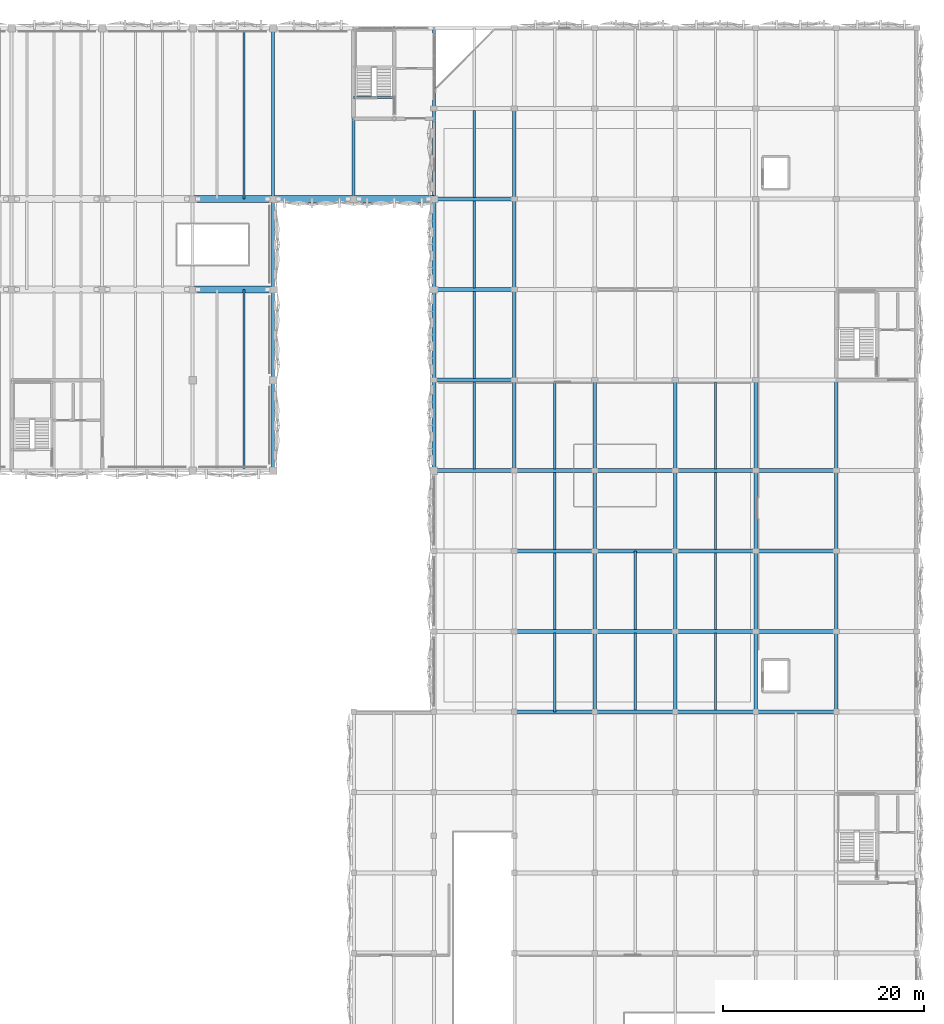
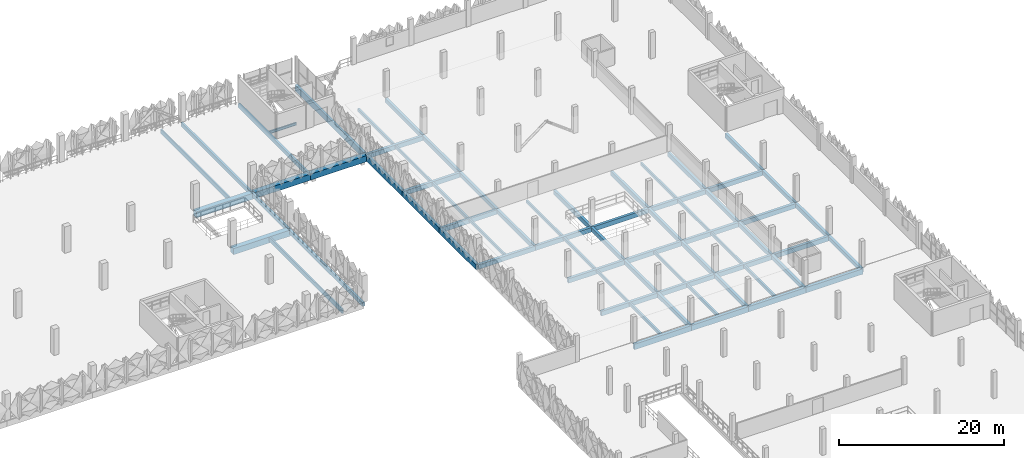
# One storey, part 23 of 83: 69 beams.
"""IFC4 building model written with IfcOpenShell, lengths in metres."""

from ifc_helpers import new_model, si_unit, derived_unit, direction, frame, origin, origin_2d, place, context, subcontext, project, spatial, rectangle, i_section, extrude, material, material_profile, profile_set, type_object, element, save


model = new_model("IFC4")

# Units and contexts
model_context = context("Model", 3, precision=1e-05, world=origin(), true_north=direction((0.0, 1.0)))
body_context = subcontext(model_context, "Body", "Model", "MODEL_VIEW")
ifc_project = project(units=[si_unit("LENGTHUNIT", "METRE"), si_unit("AREAUNIT", "SQUARE_METRE"), si_unit("VOLUMEUNIT", "CUBIC_METRE"), si_unit("PLANEANGLEUNIT", "RADIAN"), si_unit("MASSUNIT", "GRAM", prefix="KILO"), si_unit("THERMODYNAMICTEMPERATUREUNIT", "KELVIN"), derived_unit("THERMALTRANSMITTANCEUNIT", [(si_unit("POWERUNIT", "WATT"), 1), (si_unit("AREAUNIT", "SQUARE_METRE"), -1), (si_unit("THERMODYNAMICTEMPERATUREUNIT", "KELVIN"), -1)])], contexts=[model_context])

# Site, building, storey
site_placement = place(None, origin())
site = spatial("IfcSite", under=ifc_project, at=site_placement, CompositionType="ELEMENT")
building_placement = place(site_placement, origin())
building = spatial("IfcBuilding", under=site, at=building_placement, Name="Haiyu Intermodal Mobility Hub", CompositionType="ELEMENT")
storey_placement = place(building_placement, frame((0.0, 0.0, 13.39990234375)))
storey = spatial("IfcBuildingStorey", under=building, at=storey_placement, Name="L03", CompositionType="ELEMENT", Elevation=13.39990234375)

# Beams
ifc_material_1 = material(Name="Concrete C40", Category="concrete")
ifc_material_profile_1 = material_profile(ifc_material_1, rectangle(XDim=0.39990234375, YDim=0.800048828125, at=origin_2d()), Name="RCB400x800")
ifc_profile_set_1 = profile_set([ifc_material_profile_1], Name="Concrete C40")
beam_type_1 = type_object("IfcBeamType", Name="BM-CB05", PredefinedType="BEAM", material=ifc_profile_set_1)
for number, where, z_axis, x_axis, name in (
    (1, (170.0, 80.0, -0.659912109375), (1.0, 0.0, 0.0), (0.0, 1.0, 0.0), "BM-V5G-L03-058"),
    (2, (178.0, 80.0, -0.659912109375), (1.0, 0.0, 0.0), (0.0, 1.0, 0.0), "BM-V5G-L03-059"),
    (3, (186.0, 80.0, -0.659912109375), (1.0, 0.0, 0.0), (0.0, 1.0, 0.0), "BM-V5G-L03-060"),
    (4, (194.0, 80.0, -0.659912109375), (1.0, 0.0, 0.0), (0.0, 1.0, 0.0), "BM-V5G-L03-061"),
):
    element("IfcBeam", number, at=place(storey_placement, frame(where, z_axis=z_axis, x_axis=x_axis)), inside=storey, type_object=beam_type_1, Name=name, PredefinedType="BEAM", context=body_context, shape_type="SweptSolid", body=[
        extrude(rectangle(XDim=0.39990234375, YDim=0.800048828125, at=origin_2d()), origin(), (0.0, 0.0, 1.0), 8.0),
    ])
for number, where, z_axis, x_axis, name in (
    (5, (162.0, 104.0, -0.659912109375), (0.0, 1.0, 0.0), (-1.0, 0.0, 0.0), "BM-V6T-L03-004"),
    (6, (162.0, 113.0, -0.659912109375), (0.0, 1.0, 0.0), (-1.0, 0.0, 0.0), "BM-V6T-L03-005"),
    (7, (162.0, 122.0, -0.659912109375), (0.0, 1.0, 0.0), (-1.0, 0.0, 0.0), "BM-V6T-L03-006"),
):
    element("IfcBeam", number, at=place(storey_placement, frame(where, z_axis=z_axis, x_axis=x_axis)), inside=storey, type_object=beam_type_1, Name=name, PredefinedType="BEAM", context=body_context, shape_type="SweptSolid", body=[
        extrude(rectangle(XDim=0.39990234375, YDim=0.800048828125, at=origin_2d()), origin(), (0.0, 0.0, 1.0), 9.0),
    ])
ifc_material_profile_2 = material_profile(ifc_material_1, rectangle(XDim=0.300048828125, YDim=0.60009765625, at=origin_2d()), Name="RCB300x600")
ifc_profile_set_2 = profile_set([ifc_material_profile_2], Name="Concrete C40")
beam_type_2 = type_object("IfcBeamType", Name="BM-CB07", PredefinedType="JOIST", material=ifc_profile_set_2)
beam_1_placement = place(storey_placement, frame((146.0, 104.0, -0.574951171875), z_axis=(0.0, 1.0, 0.0), x_axis=(-1.0, 0.0, 0.0)))
element("IfcBeam", 8, at=beam_1_placement, inside=storey, type_object=beam_type_2, Name="BM-V4E-L03-039", PredefinedType="JOIST", context=body_context, shape_type="SweptSolid", body=[
    extrude(rectangle(XDim=0.300048828125, YDim=0.60009765625, at=origin_2d()), origin(), (0.0, 0.0, 1.0), 18.0),
])
beam_2_placement = place(storey_placement, frame((146.0, 122.0, -0.574951171875), z_axis=(0.0, 1.0, 0.0), x_axis=(-1.0, 0.0, 0.0)))
element("IfcBeam", 9, at=beam_2_placement, inside=storey, type_object=beam_type_2, Name="BM-V4E-L03-040", PredefinedType="JOIST", context=body_context, shape_type="SweptSolid", body=[
    extrude(rectangle(XDim=0.300048828125, YDim=0.60009765625, at=origin_2d()), origin(), (0.0, 0.0, 1.0), 9.0),
])
for number, where, z_axis, x_axis, name in (
    (10, (146.0, 131.0, -0.574951171875), (0.0, 1.0, 0.0), (-1.0, 0.0, 0.0), "BM-V4E-L03-041"),
    (11, (154.0, 131.0, -0.574951171875), (0.0, 1.0, 0.0), (-1.0, 0.0, 0.0), "BM-V4E-L03-042"),
):
    element("IfcBeam", number, at=place(storey_placement, frame(where, z_axis=z_axis, x_axis=x_axis)), inside=storey, type_object=beam_type_2, Name=name, PredefinedType="JOIST", context=body_context, shape_type="SweptSolid", body=[
        extrude(rectangle(XDim=0.300048828125, YDim=0.60009765625, at=origin_2d()), origin(), (0.0, 0.0, 1.0), 17.0),
    ])
ifc_material_profile_3 = material_profile(ifc_material_1, rectangle(XDim=0.3798828125, YDim=0.679931640625, at=origin_2d()), Name="B380x680")
ifc_profile_set_3 = profile_set([ifc_material_profile_3], Name="Concrete C40")
beam_type_3 = type_object("IfcBeamType", Name="BM-CB15", PredefinedType="BEAM", material=ifc_profile_set_3)
for number, where, z_axis, x_axis, name in (
    (12, (170.0, 88.0, -0.599853515625), (1.0, 0.0, 0.0), (0.0, 1.0, 0.0), "BM-V6G-L03-008"),
    (13, (178.0, 88.0, -0.599853515625), (1.0, 0.0, 0.0), (0.0, 1.0, 0.0), "BM-V6G-L03-009"),
    (14, (186.0, 88.0, -0.599853515625), (1.0, 0.0, 0.0), (0.0, 1.0, 0.0), "BM-V6G-L03-010"),
    (15, (194.0, 88.0, -0.599853515625), (1.0, 0.0, 0.0), (0.0, 1.0, 0.0), "BM-V6G-L03-011"),
    (16, (170.0, 96.0, -0.599853515625), (1.0, 0.0, 0.0), (0.0, 1.0, 0.0), "BM-V6G-L03-014"),
    (17, (178.0, 96.0, -0.599853515625), (1.0, 0.0, 0.0), (0.0, 1.0, 0.0), "BM-V6G-L03-015"),
    (18, (186.0, 96.0, -0.599853515625), (1.0, 0.0, 0.0), (0.0, 1.0, 0.0), "BM-V6G-L03-016"),
    (19, (194.0, 96.0, -0.599853515625), (1.0, 0.0, 0.0), (0.0, 1.0, 0.0), "BM-V6G-L03-017"),
    (20, (162.0, 104.0, -0.599853515625), (1.0, 0.0, 0.0), (0.0, 1.0, 0.0), "BM-V6G-L03-019"),
    (21, (170.0, 104.0, -0.599853515625), (1.0, 0.0, 0.0), (0.0, 1.0, 0.0), "BM-V6G-L03-020"),
    (22, (178.0, 104.0, -0.599853515625), (1.0, 0.0, 0.0), (0.0, 1.0, 0.0), "BM-V6G-L03-021"),
    (23, (186.0, 104.0, -0.599853515625), (1.0, 0.0, 0.0), (0.0, 1.0, 0.0), "BM-V6G-L03-022"),
    (24, (194.0, 104.0, -0.599853515625), (1.0, 0.0, 0.0), (0.0, 1.0, 0.0), "BM-V6G-L03-023"),
    (25, (162.0, 113.0, -0.599853515625), (1.0, 0.0, 0.0), (0.0, 1.0, 0.0), "BM-V6G-L03-025"),
    (26, (162.0, 122.0, -0.599853515625), (1.0, 0.0, 0.0), (0.0, 1.0, 0.0), "BM-V6G-L03-031"),
    (27, (162.0, 131.0, -0.599853515625), (1.0, 0.0, 0.0), (0.0, 1.0, 0.0), "BM-V6G-L03-037"),
):
    element("IfcBeam", number, at=place(storey_placement, frame(where, z_axis=z_axis, x_axis=x_axis)), inside=storey, type_object=beam_type_3, Name=name, PredefinedType="BEAM", context=body_context, shape_type="SweptSolid", body=[
        extrude(rectangle(XDim=0.3798828125, YDim=0.679931640625, at=origin_2d()), origin(), (0.0, 0.0, 1.0), 8.0),
    ])
ifc_material_profile_4 = material_profile(ifc_material_1, rectangle(XDim=0.360107421875, YDim=0.6201171875, at=origin_2d()), Name="B360x620")
ifc_profile_set_4 = profile_set([ifc_material_profile_4], Name="Concrete C40")
beam_type_4 = type_object("IfcBeamType", Name="BM-CB16", PredefinedType="BEAM", material=ifc_profile_set_4)
for number, where, z_axis, x_axis, name in (
    (28, (170.0, 104.0, -0.56982421875), (0.0, 1.0, 0.0), (-1.0, 0.0, 0.0), "BM-V6T-L03-012"),
    (29, (170.0, 113.0, -0.56982421875), (0.0, 1.0, 0.0), (-1.0, 0.0, 0.0), "BM-V6T-L03-013"),
    (30, (170.0, 122.0, -0.56982421875), (0.0, 1.0, 0.0), (-1.0, 0.0, 0.0), "BM-V6T-L03-014"),
    (31, (170.0, 131.0, -0.56982421875), (0.0, 1.0, 0.0), (-1.0, 0.0, 0.0), "BM-V6T-L03-015"),
):
    element("IfcBeam", number, at=place(storey_placement, frame(where, z_axis=z_axis, x_axis=x_axis)), inside=storey, type_object=beam_type_4, Name=name, PredefinedType="BEAM", context=body_context, shape_type="SweptSolid", body=[
        extrude(rectangle(XDim=0.360107421875, YDim=0.6201171875, at=origin_2d()), origin(), (0.0, 0.0, 1.0), 9.0),
    ])
for number, where, z_axis, x_axis, name in (
    (32, (178.0, 80.0, -0.56982421875), (0.0, 1.0, 0.0), (-1.0, 0.0, 0.0), "BM-V6T-L03-017"),
    (33, (178.0, 88.0, -0.56982421875), (0.0, 1.0, 0.0), (-1.0, 0.0, 0.0), "BM-V6T-L03-018"),
    (34, (178.0, 96.0, -0.56982421875), (0.0, 1.0, 0.0), (-1.0, 0.0, 0.0), "BM-V6T-L03-019"),
):
    element("IfcBeam", number, at=place(storey_placement, frame(where, z_axis=z_axis, x_axis=x_axis)), inside=storey, type_object=beam_type_4, Name=name, PredefinedType="BEAM", context=body_context, shape_type="SweptSolid", body=[
        extrude(rectangle(XDim=0.360107421875, YDim=0.6201171875, at=origin_2d()), origin(), (0.0, 0.0, 1.0), 8.0),
    ])
beam_3_placement = place(storey_placement, frame((178.0, 104.0, -0.56982421875), z_axis=(0.0, 1.0, 0.0), x_axis=(-1.0, 0.0, 0.0)))
element("IfcBeam", 35, at=beam_3_placement, inside=storey, type_object=beam_type_4, Name="BM-V6T-L03-020", PredefinedType="BEAM", context=body_context, shape_type="SweptSolid", body=[
    extrude(rectangle(XDim=0.360107421875, YDim=0.6201171875, at=origin_2d()), origin(), (0.0, 0.0, 1.0), 9.0),
])
for number, where, z_axis, x_axis, name in (
    (36, (186.0, 80.0, -0.56982421875), (0.0, 1.0, 0.0), (-1.0, 0.0, 0.0), "BM-V6T-L03-025"),
    (37, (186.0, 88.0, -0.56982421875), (0.0, 1.0, 0.0), (-1.0, 0.0, 0.0), "BM-V6T-L03-026"),
    (38, (186.0, 96.0, -0.56982421875), (0.0, 1.0, 0.0), (-1.0, 0.0, 0.0), "BM-V6T-L03-027"),
):
    element("IfcBeam", number, at=place(storey_placement, frame(where, z_axis=z_axis, x_axis=x_axis)), inside=storey, type_object=beam_type_4, Name=name, PredefinedType="BEAM", context=body_context, shape_type="SweptSolid", body=[
        extrude(rectangle(XDim=0.360107421875, YDim=0.6201171875, at=origin_2d()), origin(), (0.0, 0.0, 1.0), 8.0),
    ])
beam_4_placement = place(storey_placement, frame((186.0, 104.0, -0.56982421875), z_axis=(0.0, 1.0, 0.0), x_axis=(-1.0, 0.0, 0.0)))
element("IfcBeam", 39, at=beam_4_placement, inside=storey, type_object=beam_type_4, Name="BM-V6T-L03-028", PredefinedType="BEAM", context=body_context, shape_type="SweptSolid", body=[
    extrude(rectangle(XDim=0.360107421875, YDim=0.6201171875, at=origin_2d()), origin(), (0.0, 0.0, 1.0), 9.0),
])
for number, where, z_axis, x_axis, name in (
    (40, (194.0, 80.0, -0.56982421875), (0.0, 1.0, 0.0), (-1.0, 0.0, 0.0), "BM-V6T-L03-033"),
    (41, (194.0, 88.0, -0.56982421875), (0.0, 1.0, 0.0), (-1.0, 0.0, 0.0), "BM-V6T-L03-034"),
    (42, (194.0, 96.0, -0.56982421875), (0.0, 1.0, 0.0), (-1.0, 0.0, 0.0), "BM-V6T-L03-035"),
):
    element("IfcBeam", number, at=place(storey_placement, frame(where, z_axis=z_axis, x_axis=x_axis)), inside=storey, type_object=beam_type_4, Name=name, PredefinedType="BEAM", context=body_context, shape_type="SweptSolid", body=[
        extrude(rectangle(XDim=0.360107421875, YDim=0.6201171875, at=origin_2d()), origin(), (0.0, 0.0, 1.0), 8.0),
    ])
beam_5_placement = place(storey_placement, frame((194.0, 104.0, -0.56982421875), z_axis=(0.0, 1.0, 0.0), x_axis=(-1.0, 0.0, 0.0)))
element("IfcBeam", 43, at=beam_5_placement, inside=storey, type_object=beam_type_4, Name="BM-V6T-L03-036", PredefinedType="BEAM", context=body_context, shape_type="SweptSolid", body=[
    extrude(rectangle(XDim=0.360107421875, YDim=0.6201171875, at=origin_2d()), origin(), (0.0, 0.0, 1.0), 9.0),
])
for number, where, z_axis, x_axis, name in (
    (44, (202.0, 80.0, -0.56982421875), (0.0, 1.0, 0.0), (-1.0, 0.0, 0.0), "BM-V6T-L03-041"),
    (45, (202.0, 88.0, -0.56982421875), (0.0, 1.0, 0.0), (-1.0, 0.0, 0.0), "BM-V6T-L03-042"),
    (46, (202.0, 96.0, -0.56982421875), (0.0, 1.0, 0.0), (-1.0, 0.0, 0.0), "BM-V6T-L03-043"),
):
    element("IfcBeam", number, at=place(storey_placement, frame(where, z_axis=z_axis, x_axis=x_axis)), inside=storey, type_object=beam_type_4, Name=name, PredefinedType="BEAM", context=body_context, shape_type="SweptSolid", body=[
        extrude(rectangle(XDim=0.360107421875, YDim=0.6201171875, at=origin_2d()), origin(), (0.0, 0.0, 1.0), 8.0),
    ])
beam_6_placement = place(storey_placement, frame((202.0, 104.0, -0.56982421875), z_axis=(0.0, 1.0, 0.0), x_axis=(-1.0, 0.0, 0.0)))
element("IfcBeam", 47, at=beam_6_placement, inside=storey, type_object=beam_type_4, Name="BM-V6T-L03-044", PredefinedType="BEAM", context=body_context, shape_type="SweptSolid", body=[
    extrude(rectangle(XDim=0.360107421875, YDim=0.6201171875, at=origin_2d()), origin(), (0.0, 0.0, 1.0), 9.0),
])
ifc_material_profile_5 = material_profile(ifc_material_1, rectangle(XDim=0.239990234375, YDim=0.43994140625, at=origin_2d()), Name="B240x440")
ifc_profile_set_5 = profile_set([ifc_material_profile_5], Name="Concrete C40")
beam_type_5 = type_object("IfcBeamType", Name="BM-CB19", PredefinedType="JOIST", material=ifc_profile_set_5)
for number, where, z_axis, x_axis, name in (
    (48, (166.0, 104.175048828125, -0.47998046875), (0.0, 1.0, 0.0), (-1.0, 0.0, 0.0), "BM-V6J-L03-004"),
    (49, (166.0, 113.175048828125, -0.47998046875), (0.0, 1.0, 0.0), (-1.0, 0.0, 0.0), "BM-V6J-L03-005"),
    (50, (166.0, 122.175048828125, -0.47998046875), (0.0, 1.0, 0.0), (-1.0, 0.0, 0.0), "BM-V6J-L03-006"),
    (51, (166.0, 131.175048828125, -0.47998046875), (0.0, 1.0, 0.0), (-1.0, 0.0, 0.0), "BM-V6J-L03-007"),
):
    element("IfcBeam", number, at=place(storey_placement, frame(where, z_axis=z_axis, x_axis=x_axis)), inside=storey, type_object=beam_type_5, Name=name, PredefinedType="JOIST", context=body_context, shape_type="SweptSolid", body=[
        extrude(rectangle(XDim=0.239990234375, YDim=0.43994140625, at=origin_2d()), origin(), (0.0, 0.0, 1.0), 8.64990234375),
    ])
beam_7_placement = place(storey_placement, frame((174.0, 80.0, -0.47998046875), z_axis=(0.0, 1.0, 0.0), x_axis=(-1.0, 0.0, 0.0)))
element("IfcBeam", 52, at=beam_7_placement, inside=storey, type_object=beam_type_5, Name="BM-V6J-L03-009", PredefinedType="JOIST", context=body_context, shape_type="SweptSolid", body=[
    extrude(rectangle(XDim=0.239990234375, YDim=0.43994140625, at=origin_2d()), origin(), (0.0, 0.0, 1.0), 7.824951171875),
])
for number, where, z_axis, x_axis, name in (
    (53, (174.0, 88.175048828125, -0.47998046875), (0.0, 1.0, 0.0), (-1.0, 0.0, 0.0), "BM-V6J-L03-010"),
    (54, (174.0, 96.175048828125, -0.47998046875), (0.0, 1.0, 0.0), (-1.0, 0.0, 0.0), "BM-V6J-L03-011"),
):
    element("IfcBeam", number, at=place(storey_placement, frame(where, z_axis=z_axis, x_axis=x_axis)), inside=storey, type_object=beam_type_5, Name=name, PredefinedType="JOIST", context=body_context, shape_type="SweptSolid", body=[
        extrude(rectangle(XDim=0.239990234375, YDim=0.43994140625, at=origin_2d()), origin(), (0.0, 0.0, 1.0), 7.64990234375),
    ])
beam_8_placement = place(storey_placement, frame((174.0, 104.175048828125, -0.47998046875), z_axis=(0.0, 1.0, 0.0), x_axis=(-1.0, 0.0, 0.0)))
element("IfcBeam", 55, at=beam_8_placement, inside=storey, type_object=beam_type_5, Name="BM-V6J-L03-012", PredefinedType="JOIST", context=body_context, shape_type="SweptSolid", body=[
    extrude(rectangle(XDim=0.239990234375, YDim=0.43994140625, at=origin_2d()), origin(), (0.0, 0.0, 1.0), 8.64990234375),
])
beam_9_placement = place(storey_placement, frame((182.0, 80.18505859375, -0.47998046875), z_axis=(0.0, 1.0, 0.0), x_axis=(-1.0, 0.0, 0.0)))
element("IfcBeam", 56, at=beam_9_placement, inside=storey, type_object=beam_type_5, Name="BM-V6J-L03-017", PredefinedType="JOIST", context=body_context, shape_type="SweptSolid", body=[
    extrude(rectangle(XDim=0.239990234375, YDim=0.43994140625, at=origin_2d()), origin(), (0.0, 0.0, 1.0), 7.639892578125),
])
beam_10_placement = place(storey_placement, frame((182.0, 88.175048828125, -0.47998046875), z_axis=(0.0, 1.0, 0.0), x_axis=(-1.0, 0.0, 0.0)))
element("IfcBeam", 57, at=beam_10_placement, inside=storey, type_object=beam_type_5, Name="BM-V6J-L03-018", PredefinedType="JOIST", context=body_context, shape_type="SweptSolid", body=[
    extrude(rectangle(XDim=0.239990234375, YDim=0.43994140625, at=origin_2d()), origin(), (0.0, 0.0, 1.0), 7.824951171875),
])
beam_11_placement = place(storey_placement, frame((190.0, 80.18505859375, -0.47998046875), z_axis=(0.0, 1.0, 0.0), x_axis=(-1.0, 0.0, 0.0)))
element("IfcBeam", 58, at=beam_11_placement, inside=storey, type_object=beam_type_5, Name="BM-V6J-L03-023", PredefinedType="JOIST", context=body_context, shape_type="SweptSolid", body=[
    extrude(rectangle(XDim=0.239990234375, YDim=0.43994140625, at=origin_2d()), origin(), (0.0, 0.0, 1.0), 7.639892578125),
])
for number, where, z_axis, x_axis, name in (
    (59, (190.0, 88.175048828125, -0.47998046875), (0.0, 1.0, 0.0), (-1.0, 0.0, 0.0), "BM-V6J-L03-024"),
    (60, (190.0, 96.175048828125, -0.47998046875), (0.0, 1.0, 0.0), (-1.0, 0.0, 0.0), "BM-V6J-L03-025"),
):
    element("IfcBeam", number, at=place(storey_placement, frame(where, z_axis=z_axis, x_axis=x_axis)), inside=storey, type_object=beam_type_5, Name=name, PredefinedType="JOIST", context=body_context, shape_type="SweptSolid", body=[
        extrude(rectangle(XDim=0.239990234375, YDim=0.43994140625, at=origin_2d()), origin(), (0.0, 0.0, 1.0), 7.64990234375),
    ])
beam_12_placement = place(storey_placement, frame((190.0, 104.175048828125, -0.47998046875), z_axis=(0.0, 1.0, 0.0), x_axis=(-1.0, 0.0, 0.0)))
element("IfcBeam", 61, at=beam_12_placement, inside=storey, type_object=beam_type_5, Name="BM-V6J-L03-026", PredefinedType="JOIST", context=body_context, shape_type="SweptSolid", body=[
    extrude(rectangle(XDim=0.239990234375, YDim=0.43994140625, at=origin_2d()), origin(), (0.0, 0.0, 1.0), 8.64990234375),
])
ifc_material_2 = material(Name="Precast concrete C50", Category="concrete")
ifc_material_profile_6 = material_profile(ifc_material_2, rectangle(XDim=0.199951171875, YDim=0.659912109375, at=origin_2d()), Name="PC200x660")
ifc_profile_set_6 = profile_set([ifc_material_profile_6], Name="Precast concrete C50")
beam_type_6 = type_object("IfcBeamType", Name="BM-DT03", PredefinedType="JOIST", material=ifc_profile_set_6)
beam_13_placement = place(storey_placement, frame((143.10009765625, 104.0, -0.60498046875), z_axis=(0.0, 1.0, 0.0), x_axis=(-1.0, 0.0, 0.0)))
element("IfcBeam", 62, at=beam_13_placement, inside=storey, type_object=beam_type_6, Name="BM-DT-L03-085", PredefinedType="JOIST", context=body_context, shape_type="SweptSolid", body=[
    extrude(rectangle(XDim=0.199951171875, YDim=0.659912109375, at=origin_2d()), origin(), (0.0, 0.0, 1.0), 18.0),
])
beam_14_placement = place(storey_placement, frame((143.10009765625, 131.0, -0.60498046875), z_axis=(0.0, 1.0, 0.0), x_axis=(-1.0, 0.0, 0.0)))
element("IfcBeam", 63, at=beam_14_placement, inside=storey, type_object=beam_type_6, Name="BM-DT-L03-086", PredefinedType="JOIST", context=body_context, shape_type="SweptSolid", body=[
    extrude(rectangle(XDim=0.199951171875, YDim=0.659912109375, at=origin_2d()), origin(), (0.0, 0.0, 1.0), 17.0),
])
ifc_material_profile_7 = material_profile(ifc_material_2, rectangle(XDim=0.699951171875, YDim=0.89990234375, at=origin_2d()), Name="PC700x900")
ifc_profile_set_7 = profile_set([ifc_material_profile_7], Name="Precast concrete C50")
beam_type_7 = type_object("IfcBeamType", Name="BM-IT02", PredefinedType="T_BEAM", material=ifc_profile_set_7)
for number, where, z_axis, x_axis, name in (
    (64, (138.0, 122.0, -0.724853515625), (1.0, 0.0, 0.0), (0.0, 1.0, 0.0), "BM-V4G-L03-024"),
    (65, (138.0, 131.0, -0.724853515625), (1.0, 0.0, 0.0), (0.0, 1.0, 0.0), "BM-V4G-L03-038"),
    (66, (146.0, 131.0, -0.724853515625), (1.0, 0.0, 0.0), (0.0, 1.0, 0.0), "BM-V4G-L03-039"),
    (67, (154.0, 131.0, -0.724853515625), (1.0, 0.0, 0.0), (0.0, 1.0, 0.0), "BM-V4G-L03-040"),
):
    element("IfcBeam", number, at=place(storey_placement, frame(where, z_axis=z_axis, x_axis=x_axis)), inside=storey, type_object=beam_type_7, Name=name, PredefinedType="T_BEAM", context=body_context, shape_type="SweptSolid", body=[
        extrude(rectangle(XDim=0.699951171875, YDim=0.89990234375, at=origin_2d()), origin(), (0.0, 0.0, 1.0), 8.0),
    ])
ifc_material_3 = material(Name="Steel Q355C", Category="steel")
ifc_material_profile_8 = material_profile(ifc_material_3, i_section(OverallWidth=0.199951171875, OverallDepth=0.39990234375, WebThickness=0.008056640625, FlangeThickness=0.012939453125, FilletRadius=0.01611328125, at=origin_2d()), Name="HN400x200x8x13")
ifc_profile_set_8 = profile_set([ifc_material_profile_8], Name="Steel Q355C")
beam_type_8 = type_object("IfcBeamType", Name="BM-SB08", PredefinedType="JOIST", material=ifc_profile_set_8)
beam_15_placement = place(storey_placement, frame((154.0, 141.10009765625, -0.52490234375), z_axis=(1.0, 0.0, 0.0), x_axis=(0.0, 1.0, 0.0)))
element("IfcBeam", 68, at=beam_15_placement, inside=storey, type_object=beam_type_8, Name="Stair Arrival Trimmer Beam C4-L02", PredefinedType="JOIST", context=body_context, shape_type="SweptSolid", body=[
    extrude(i_section(OverallWidth=0.199951171875, OverallDepth=0.39990234375, WebThickness=0.008056640625, FlangeThickness=0.012939453125, FilletRadius=0.01611328125, at=origin_2d()), origin(), (0.0, 0.0, 1.0), 4.050048828125),
])
ifc_material_4 = material(Name="Precast concrete C40", Category="concrete")
ifc_material_profile_9 = material_profile(ifc_material_4, rectangle(XDim=0.340087890625, YDim=0.89990234375, at=origin_2d()), Name="B340x900")
ifc_profile_set_9 = profile_set([ifc_material_profile_9], Name="Precast concrete C40")
beam_type_9 = type_object("IfcBeamType", Name="BM-SP04", PredefinedType="SPANDREL", material=ifc_profile_set_9)
beam_16_placement = place(storey_placement, frame((162.0, 131.0, -0.724853515625), z_axis=(0.0, 1.0, 0.0), x_axis=(-1.0, 0.0, 0.0)))
element("IfcBeam", 69, at=beam_16_placement, inside=storey, type_object=beam_type_9, Name="BM-V4E-L03-043", PredefinedType="SPANDREL", context=body_context, shape_type="SweptSolid", body=[
    extrude(rectangle(XDim=0.340087890625, YDim=0.89990234375, at=origin_2d()), origin(), (0.0, 0.0, 1.0), 17.0),
])

save(model, "model.ifc")
